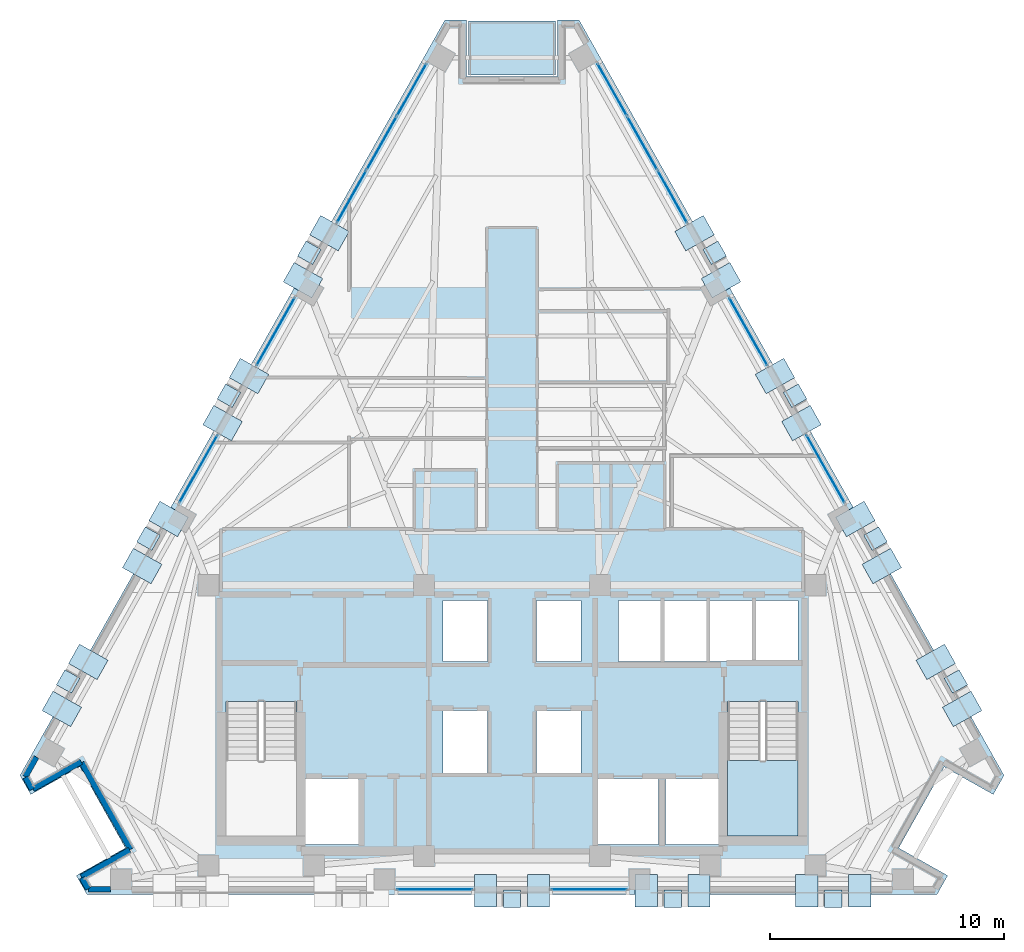
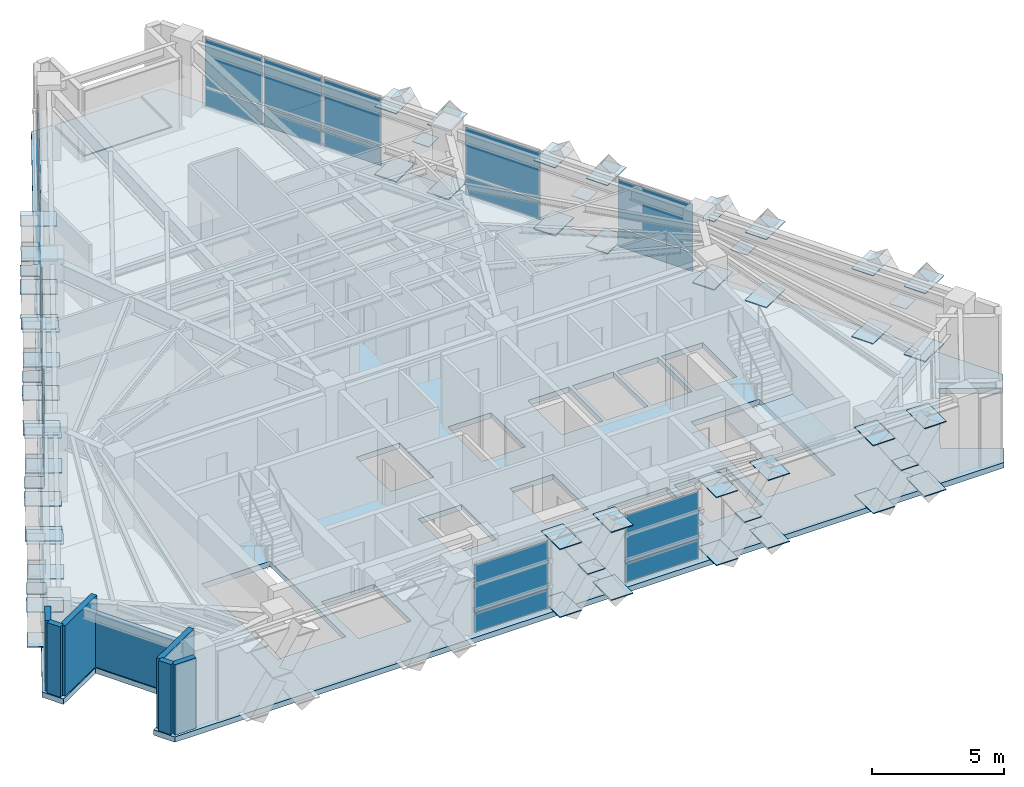
# One storey, part 7 of 15: 79 plates, 7 walls, 3 slabs, 9 elements without a shape of their own.
"""IFC4 building model written with IfcOpenShell, lengths in metres."""

from ifc_helpers import new_model, si_unit, direction, frame, frame_2d, origin, origin_2d, place, context, subcontext, project, spatial, polyline, rectangle, outline, extrude, material, layer, layer_set, type_object, element, aggregate, save


model = new_model("IFC4")

# Units and contexts
model_context = context("Model", 3, precision=1e-05, world=origin(), true_north=direction((0.0, 1.0)))
body_context = subcontext(model_context, "Body", "Model", "MODEL_VIEW")
ifc_project = project(units=[si_unit("LENGTHUNIT", "METRE"), si_unit("AREAUNIT", "SQUARE_METRE"), si_unit("VOLUMEUNIT", "CUBIC_METRE"), si_unit("PLANEANGLEUNIT", "RADIAN"), si_unit("MASSUNIT", "GRAM", prefix="KILO")], contexts=[model_context])

# Site, building, storey
site_placement = place(None, origin())
site = spatial("IfcSite", under=ifc_project, at=site_placement, CompositionType="ELEMENT")
building_placement = place(site_placement, origin())
building = spatial("IfcBuilding", under=site, at=building_placement, Name="Quenlor Broadcast Tower", CompositionType="ELEMENT")
storey_placement = place(building_placement, frame((0.0, 0.0, 183.39990234375)))
storey = spatial("IfcBuildingStorey", under=building, at=storey_placement, Name="L50", CompositionType="ELEMENT", Elevation=183.39990234375)

# Curtain wall, plates
ifc_material_1 = material(Name="Architectural Terracotta and Low-E Glazing", Category="masonry")
curtain_wall_type = type_object("IfcCurtainWallType", Name="Unitised Terracotta Curtain Wall System Z4", PredefinedType="NOTDEFINED", material=ifc_material_1)
curtain_wall_1_placement = place(storey_placement, origin())
curtain_wall_1 = element("IfcCurtainWall", 1, at=curtain_wall_1_placement, inside=storey, type_object=curtain_wall_type, Name="L50 Curtain Wall CW4 (L50-S-G1)", PredefinedType="NOTDEFINED")
ifc_material_2 = material(Name="Double Glazed Low-E Solar Glass", Category="glass")
ifc_layer_1 = layer(ifc_material_2, 0.028076171875)
ifc_layer_set_1 = layer_set([ifc_layer_1], Name="CW4 Double Glazed Vision Panel 28")
plate_type_1 = type_object("IfcPlateType", Name="CW4 Double Glazed Vision Panel 28", PredefinedType="CURTAIN_PANEL", material=ifc_layer_set_1)
plate_1_placement = place(storey_placement, frame((3.29443359375, -17.77490234375, 0.068359375), z_axis=(0.0, 0.0, 1.0), x_axis=(-1.0, 0.0, 0.0)))
plate_1 = element("IfcPlate", 2, at=plate_1_placement, type_object=plate_type_1, Name="CW4 panel 1.1", PredefinedType="CURTAIN_PANEL", context=body_context, shape_type="SweptSolid", body=[
    extrude(rectangle(XDim=3.210693359375, YDim=0.028076171875, at=origin_2d()), origin(), (0.0, 0.0, 1.0), 0.847900390625),
])
plate_2_placement = place(storey_placement, frame((3.29443359375, -17.77490234375, 0.98388671875), z_axis=(0.0, 0.0, 1.0), x_axis=(-1.0, 0.0, 0.0)))
plate_2 = element("IfcPlate", 3, at=plate_2_placement, type_object=plate_type_1, Name="CW4 panel 1.2", PredefinedType="CURTAIN_PANEL", context=body_context, shape_type="SweptSolid", body=[
    extrude(rectangle(XDim=3.210693359375, YDim=0.028076171875, at=origin_2d()), origin(), (0.0, 0.0, 1.0), 2.197998046875),
])
aggregate(curtain_wall_1, [plate_1, plate_2])

curtain_wall_2_placement = place(storey_placement, origin())
curtain_wall_2 = element("IfcCurtainWall", 4, at=curtain_wall_2_placement, inside=storey, type_object=curtain_wall_type, Name="L50 Curtain Wall CW4 (L50-S-G2)", PredefinedType="NOTDEFINED")
plate_3_placement = place(storey_placement, frame((-3.29443359375, -17.77490234375, 0.068359375), z_axis=(0.0, 0.0, 1.0), x_axis=(-1.0, 0.0, 0.0)))
plate_3 = element("IfcPlate", 5, at=plate_3_placement, type_object=plate_type_1, Name="CW4 panel 1.1", PredefinedType="CURTAIN_PANEL", context=body_context, shape_type="SweptSolid", body=[
    extrude(rectangle(XDim=3.210693359375, YDim=0.028076171875, at=origin_2d()), origin(), (0.0, 0.0, 1.0), 0.847900390625),
])
plate_4_placement = place(storey_placement, frame((-3.29443359375, -17.77490234375, 0.98388671875), z_axis=(0.0, 0.0, 1.0), x_axis=(-1.0, 0.0, 0.0)))
plate_4 = element("IfcPlate", 6, at=plate_4_placement, type_object=plate_type_1, Name="CW4 panel 1.2", PredefinedType="CURTAIN_PANEL", context=body_context, shape_type="SweptSolid", body=[
    extrude(rectangle(XDim=3.210693359375, YDim=0.028076171875, at=origin_2d()), origin(), (0.0, 0.0, 1.0), 2.197998046875),
])
aggregate(curtain_wall_2, [plate_3, plate_4])

curtain_wall_3_placement = place(storey_placement, origin())
curtain_wall_3 = element("IfcCurtainWall", 7, at=curtain_wall_3_placement, inside=storey, type_object=curtain_wall_type, Name="L50 Curtain Wall CW4 (L50-NEA-G1)", PredefinedType="NOTDEFINED")
plate_5_placement = place(storey_placement, frame((4.277099609375, 16.337158203125, 0.068359375), z_axis=(0.0, 0.0, 1.0), x_axis=(0.490258833923, -0.871576890332, 0.0)))
plate_5 = element("IfcPlate", 8, at=plate_5_placement, type_object=plate_type_1, Name="CW4 panel 1.1", PredefinedType="CURTAIN_PANEL", context=body_context, shape_type="SweptSolid", body=[
    extrude(rectangle(XDim=2.529296875, YDim=0.028076171875, at=origin_2d()), origin(), (0.0, 0.0, 1.0), 0.847900390625),
])
plate_6_placement = place(storey_placement, frame((4.277099609375, 16.337158203125, 0.98388671875), z_axis=(0.0, 0.0, 1.0), x_axis=(0.490258833923, -0.871576890332, 0.0)))
plate_6 = element("IfcPlate", 9, at=plate_6_placement, type_object=plate_type_1, Name="CW4 panel 1.2", PredefinedType="CURTAIN_PANEL", context=body_context, shape_type="SweptSolid", body=[
    extrude(rectangle(XDim=2.529296875, YDim=0.028076171875, at=origin_2d()), origin(), (0.0, 0.0, 1.0), 2.197998046875),
])
plate_7_placement = place(storey_placement, frame((5.558837890625, 14.05859375, 0.068359375), z_axis=(0.0, 0.0, 1.0), x_axis=(0.490258833923, -0.871576890332, 0.0)))
plate_7 = element("IfcPlate", 10, at=plate_7_placement, type_object=plate_type_1, Name="CW4 panel 2.1", PredefinedType="CURTAIN_PANEL", context=body_context, shape_type="SweptSolid", body=[
    extrude(rectangle(XDim=2.5634765625, YDim=0.028076171875, at=origin_2d()), origin(), (0.0, 0.0, 1.0), 0.847900390625),
])
plate_8_placement = place(storey_placement, frame((5.558837890625, 14.05859375, 0.98388671875), z_axis=(0.0, 0.0, 1.0), x_axis=(0.490258833923, -0.871576890332, 0.0)))
plate_8 = element("IfcPlate", 11, at=plate_8_placement, type_object=plate_type_1, Name="CW4 panel 2.2", PredefinedType="CURTAIN_PANEL", context=body_context, shape_type="SweptSolid", body=[
    extrude(rectangle(XDim=2.5634765625, YDim=0.028076171875, at=origin_2d()), origin(), (0.0, 0.0, 1.0), 2.197998046875),
])
plate_9_placement = place(storey_placement, frame((6.840576171875, 11.77978515625, 0.068359375), z_axis=(0.0, 0.0, 1.0), x_axis=(0.490258833923, -0.871576890332, 0.0)))
plate_9 = element("IfcPlate", 12, at=plate_9_placement, type_object=plate_type_1, Name="CW4 panel 3.1", PredefinedType="CURTAIN_PANEL", context=body_context, shape_type="SweptSolid", body=[
    extrude(rectangle(XDim=2.529296875, YDim=0.028076171875, at=origin_2d()), origin(), (0.0, 0.0, 1.0), 0.847900390625),
])
plate_10_placement = place(storey_placement, frame((6.840576171875, 11.77978515625, 0.98388671875), z_axis=(0.0, 0.0, 1.0), x_axis=(0.490258833923, -0.871576890332, 0.0)))
plate_10 = element("IfcPlate", 13, at=plate_10_placement, type_object=plate_type_1, Name="CW4 panel 3.2", PredefinedType="CURTAIN_PANEL", context=body_context, shape_type="SweptSolid", body=[
    extrude(rectangle(XDim=2.529296875, YDim=0.028076171875, at=origin_2d()), origin(), (0.0, 0.0, 1.0), 2.197998046875),
])
aggregate(curtain_wall_3, [plate_5, plate_6, plate_7, plate_8, plate_9, plate_10])

curtain_wall_4_placement = place(storey_placement, origin())
curtain_wall_4 = element("IfcCurtainWall", 14, at=curtain_wall_4_placement, inside=storey, type_object=curtain_wall_type, Name="L50 Curtain Wall CW4 (L50-NE-G1)", PredefinedType="NOTDEFINED")
plate_11_placement = place(storey_placement, frame((10.081787109375, 6.01806640625, 0.068359375), z_axis=(0.0, 0.0, 1.0), x_axis=(0.490257089819, -0.871577871382, 0.0)))
plate_11 = element("IfcPlate", 15, at=plate_11_placement, type_object=plate_type_1, Name="CW4 panel 1.1", PredefinedType="CURTAIN_PANEL", context=body_context, shape_type="SweptSolid", body=[
    extrude(rectangle(XDim=3.29638671875, YDim=0.028076171875, at=origin_2d()), origin(), (0.0, 0.0, 1.0), 0.847900390625),
])
plate_12_placement = place(storey_placement, frame((10.081787109375, 6.01806640625, 0.98388671875), z_axis=(0.0, 0.0, 1.0), x_axis=(0.490257089819, -0.871577871382, 0.0)))
plate_12 = element("IfcPlate", 16, at=plate_12_placement, type_object=plate_type_1, Name="CW4 panel 1.2", PredefinedType="CURTAIN_PANEL", context=body_context, shape_type="SweptSolid", body=[
    extrude(rectangle(XDim=3.29638671875, YDim=0.028076171875, at=origin_2d()), origin(), (0.0, 0.0, 1.0), 2.197998046875),
])
aggregate(curtain_wall_4, [plate_11, plate_12])

curtain_wall_5_placement = place(storey_placement, origin())
curtain_wall_5 = element("IfcCurtainWall", 17, at=curtain_wall_5_placement, inside=storey, type_object=curtain_wall_type, Name="L50 Curtain Wall CW4 (L50-NE-G2)", PredefinedType="NOTDEFINED")
plate_13_placement = place(storey_placement, frame((13.3759765625, 0.161376953125, 0.068359375), z_axis=(0.0, 0.0, 1.0), x_axis=(0.490257089819, -0.871577871382, 0.0)))
plate_13 = element("IfcPlate", 18, at=plate_13_placement, type_object=plate_type_1, Name="CW4 panel 1.1", PredefinedType="CURTAIN_PANEL", context=body_context, shape_type="SweptSolid", body=[
    extrude(rectangle(XDim=3.29638671875, YDim=0.028076171875, at=origin_2d()), origin(), (0.0, 0.0, 1.0), 0.847900390625),
])
plate_14_placement = place(storey_placement, frame((13.3759765625, 0.161376953125, 0.98388671875), z_axis=(0.0, 0.0, 1.0), x_axis=(0.490257089819, -0.871577871382, 0.0)))
plate_14 = element("IfcPlate", 19, at=plate_14_placement, type_object=plate_type_1, Name="CW4 panel 1.2", PredefinedType="CURTAIN_PANEL", context=body_context, shape_type="SweptSolid", body=[
    extrude(rectangle(XDim=3.29638671875, YDim=0.028076171875, at=origin_2d()), origin(), (0.0, 0.0, 1.0), 2.197998046875),
])
aggregate(curtain_wall_5, [plate_13, plate_14])

curtain_wall_6_placement = place(storey_placement, origin())
curtain_wall_6 = element("IfcCurtainWall", 20, at=curtain_wall_6_placement, inside=storey, type_object=curtain_wall_type, Name="L50 Curtain Wall CW4 (L50-NWC-G1)", PredefinedType="NOTDEFINED")
plate_15_placement = place(storey_placement, frame((-6.840576171875, 11.77978515625, 0.068359375), z_axis=(0.0, 0.0, 1.0), x_axis=(0.490258833923, 0.871576890332, 0.0)))
plate_15 = element("IfcPlate", 21, at=plate_15_placement, type_object=plate_type_1, Name="CW4 panel 1.1", PredefinedType="CURTAIN_PANEL", context=body_context, shape_type="SweptSolid", body=[
    extrude(rectangle(XDim=2.529296875, YDim=0.028076171875, at=origin_2d()), origin(), (0.0, 0.0, 1.0), 0.847900390625),
])
plate_16_placement = place(storey_placement, frame((-6.840576171875, 11.77978515625, 0.98388671875), z_axis=(0.0, 0.0, 1.0), x_axis=(0.490258833923, 0.871576890332, 0.0)))
plate_16 = element("IfcPlate", 22, at=plate_16_placement, type_object=plate_type_1, Name="CW4 panel 1.2", PredefinedType="CURTAIN_PANEL", context=body_context, shape_type="SweptSolid", body=[
    extrude(rectangle(XDim=2.529296875, YDim=0.028076171875, at=origin_2d()), origin(), (0.0, 0.0, 1.0), 2.197998046875),
])
plate_17_placement = place(storey_placement, frame((-5.558837890625, 14.05859375, 0.068359375), z_axis=(0.0, 0.0, 1.0), x_axis=(0.490258833923, 0.871576890332, 0.0)))
plate_17 = element("IfcPlate", 23, at=plate_17_placement, type_object=plate_type_1, Name="CW4 panel 2.1", PredefinedType="CURTAIN_PANEL", context=body_context, shape_type="SweptSolid", body=[
    extrude(rectangle(XDim=2.5634765625, YDim=0.028076171875, at=origin_2d()), origin(), (0.0, 0.0, 1.0), 0.847900390625),
])
plate_18_placement = place(storey_placement, frame((-5.558837890625, 14.05859375, 0.98388671875), z_axis=(0.0, 0.0, 1.0), x_axis=(0.490258833923, 0.871576890332, 0.0)))
plate_18 = element("IfcPlate", 24, at=plate_18_placement, type_object=plate_type_1, Name="CW4 panel 2.2", PredefinedType="CURTAIN_PANEL", context=body_context, shape_type="SweptSolid", body=[
    extrude(rectangle(XDim=2.5634765625, YDim=0.028076171875, at=origin_2d()), origin(), (0.0, 0.0, 1.0), 2.197998046875),
])
plate_19_placement = place(storey_placement, frame((-4.277099609375, 16.337158203125, 0.068359375), z_axis=(0.0, 0.0, 1.0), x_axis=(0.490258833923, 0.871576890332, 0.0)))
plate_19 = element("IfcPlate", 25, at=plate_19_placement, type_object=plate_type_1, Name="CW4 panel 3.1", PredefinedType="CURTAIN_PANEL", context=body_context, shape_type="SweptSolid", body=[
    extrude(rectangle(XDim=2.529296875, YDim=0.028076171875, at=origin_2d()), origin(), (0.0, 0.0, 1.0), 0.847900390625),
])
plate_20_placement = place(storey_placement, frame((-4.277099609375, 16.337158203125, 0.98388671875), z_axis=(0.0, 0.0, 1.0), x_axis=(0.490258833923, 0.871576890332, 0.0)))
plate_20 = element("IfcPlate", 26, at=plate_20_placement, type_object=plate_type_1, Name="CW4 panel 3.2", PredefinedType="CURTAIN_PANEL", context=body_context, shape_type="SweptSolid", body=[
    extrude(rectangle(XDim=2.529296875, YDim=0.028076171875, at=origin_2d()), origin(), (0.0, 0.0, 1.0), 2.197998046875),
])
aggregate(curtain_wall_6, [plate_15, plate_16, plate_17, plate_18, plate_19, plate_20])

curtain_wall_7_placement = place(storey_placement, origin())
curtain_wall_7 = element("IfcCurtainWall", 27, at=curtain_wall_7_placement, inside=storey, type_object=curtain_wall_type, Name="L50 Curtain Wall CW4 (L50-NW-G1)", PredefinedType="NOTDEFINED")
plate_21_placement = place(storey_placement, frame((-13.3759765625, 0.161376953125, 0.068359375), z_axis=(0.0, 0.0, 1.0), x_axis=(0.490257089819, 0.871577871382, 0.0)))
plate_21 = element("IfcPlate", 28, at=plate_21_placement, type_object=plate_type_1, Name="CW4 panel 1.1", PredefinedType="CURTAIN_PANEL", context=body_context, shape_type="SweptSolid", body=[
    extrude(rectangle(XDim=3.29638671875, YDim=0.028076171875, at=origin_2d()), origin(), (0.0, 0.0, 1.0), 0.847900390625),
])
plate_22_placement = place(storey_placement, frame((-13.3759765625, 0.161376953125, 0.98388671875), z_axis=(0.0, 0.0, 1.0), x_axis=(0.490257089819, 0.871577871382, 0.0)))
plate_22 = element("IfcPlate", 29, at=plate_22_placement, type_object=plate_type_1, Name="CW4 panel 1.2", PredefinedType="CURTAIN_PANEL", context=body_context, shape_type="SweptSolid", body=[
    extrude(rectangle(XDim=3.29638671875, YDim=0.028076171875, at=origin_2d()), origin(), (0.0, 0.0, 1.0), 2.197998046875),
])
aggregate(curtain_wall_7, [plate_21, plate_22])

curtain_wall_8_placement = place(storey_placement, origin())
curtain_wall_8 = element("IfcCurtainWall", 30, at=curtain_wall_8_placement, inside=storey, type_object=curtain_wall_type, Name="L50 Curtain Wall CW4 (L50-NW-G2)", PredefinedType="NOTDEFINED")
plate_23_placement = place(storey_placement, frame((-10.081787109375, 6.01806640625, 0.068359375), z_axis=(0.0, 0.0, 1.0), x_axis=(0.490257089819, 0.871577871382, 0.0)))
plate_23 = element("IfcPlate", 31, at=plate_23_placement, type_object=plate_type_1, Name="CW4 panel 1.1", PredefinedType="CURTAIN_PANEL", context=body_context, shape_type="SweptSolid", body=[
    extrude(rectangle(XDim=3.29638671875, YDim=0.028076171875, at=origin_2d()), origin(), (0.0, 0.0, 1.0), 0.847900390625),
])
plate_24_placement = place(storey_placement, frame((-10.081787109375, 6.01806640625, 0.98388671875), z_axis=(0.0, 0.0, 1.0), x_axis=(0.490257089819, 0.871577871382, 0.0)))
plate_24 = element("IfcPlate", 32, at=plate_24_placement, type_object=plate_type_1, Name="CW4 panel 1.2", PredefinedType="CURTAIN_PANEL", context=body_context, shape_type="SweptSolid", body=[
    extrude(rectangle(XDim=3.29638671875, YDim=0.028076171875, at=origin_2d()), origin(), (0.0, 0.0, 1.0), 2.197998046875),
])
aggregate(curtain_wall_8, [plate_23, plate_24])

# Plates
ifc_material_3 = material(Name="Steel S355", Category="steel")
ifc_layer_2 = layer(ifc_material_3, 0.028076171875)
ifc_layer_set_2 = layer_set([ifc_layer_2], Name="Perimeter Lattice Node Steel S355 Cap Plate 740x740x28")
plate_type_2 = type_object("IfcPlateType", Name="Perimeter Lattice Node Steel S355 Cap Plate 740x740x28", PredefinedType="USERDEFINED", material=ifc_layer_set_2)
for number, where, z_axis, x_axis, name in (
    (33, (13.70068359375, -18.169921875, 1.6162109375), (0.0, 0.0, 1.0), (-1.0, 0.0, 0.0), "L50 Diamond Lattice Crossing Node S-C1"),
    (34, (6.850341796875, -18.169921875, 1.6162109375), (0.0, 0.0, 1.0), (-1.0, 0.0, 0.0), "L50 Diamond Lattice Crossing Node S-C2"),
    (35, (0.0, -18.169921875, 1.6162109375), (0.0, 0.0, 1.0), (-1.0, 0.0, 0.0), "L50 Diamond Lattice Crossing Node S-C3"),
    (36, (8.64404296875, 9.379638671875, 1.6162109375), (0.0, 0.0, 1.0), (0.490295412055, -0.871556314255, 0.0), "L50 Diamond Lattice Crossing Node NE-C2"),
    (37, (12.0732421875, 3.283447265625, 1.6162109375), (0.0, 0.0, 1.0), (0.490295412055, -0.871556314255, 0.0), "L50 Diamond Lattice Crossing Node NE-C3"),
    (38, (15.502197265625, -2.81298828125, 1.6162109375), (0.0, 0.0, 1.0), (0.490295412055, -0.871556314255, 0.0), "L50 Diamond Lattice Crossing Node NE-C4"),
    (39, (18.931396484375, -8.908935546875, 1.6162109375), (0.0, 0.0, 1.0), (0.490295412055, -0.871556314255, 0.0), "L50 Diamond Lattice Crossing Node NE-C5"),
    (40, (-18.931396484375, -8.908935546875, 1.6162109375), (0.0, 0.0, 1.0), (0.490295412055, 0.871556314255, 0.0), "L50 Diamond Lattice Crossing Node NW-C1"),
    (41, (-15.502197265625, -2.81298828125, 1.6162109375), (0.0, 0.0, 1.0), (0.490295412055, 0.871556314255, 0.0), "L50 Diamond Lattice Crossing Node NW-C2"),
    (42, (-12.0732421875, 3.283447265625, 1.6162109375), (0.0, 0.0, 1.0), (0.490295412055, 0.871556314255, 0.0), "L50 Diamond Lattice Crossing Node NW-C3"),
    (43, (-8.64404296875, 9.379638671875, 1.6162109375), (0.0, 0.0, 1.0), (0.490295412055, 0.871556314255, 0.0), "L50 Diamond Lattice Crossing Node NW-C4"),
):
    element("IfcPlate", number, at=place(storey_placement, frame(where, z_axis=z_axis, x_axis=x_axis)), inside=storey, type_object=plate_type_2, Name=name, ObjectType="CAP PLATE", PredefinedType="USERDEFINED", context=body_context, shape_type="SweptSolid", body=[
        extrude(rectangle(XDim=0.739990234375, YDim=0.739990234375, at=origin_2d()), origin(), (0.0, 0.0, 1.0), 0.028076171875),
    ])

# Stair, slab
ifc_material_4 = material(Name="Precast concrete C40/50", Category="concrete")
stair_type = type_object("IfcStairType", Name="Precast Concrete C40/50 Dogleg Stair H350", PredefinedType="HALF_TURN_STAIR", material=ifc_material_4)
stair_placement = place(storey_placement, origin())
stair = element("IfcStair", 44, at=stair_placement, inside=storey, type_object=stair_type, Name="L50 East Core Fire-Isolated Exit Stair ST-2", PredefinedType="HALF_TURN_STAIR")
ifc_material_5 = material(Name="Precast concrete C40/50", Category="concrete")
ifc_layer_3 = layer(ifc_material_5, 0.199951171875)
ifc_layer_set_3 = layer_set([ifc_layer_3], Name="Precast Concrete C40/50 Stair Landing Slab 200")
slab_type_1 = type_object("IfcSlabType", Name="Precast Concrete C40/50 Stair Landing Slab 200", PredefinedType="LANDING", material=ifc_layer_set_3)
slab_1_placement = place(storey_placement, frame((0.0, 0.0, 1.550048828125)))
slab_1 = element("IfcSlab", 45, at=slab_1_placement, type_object=slab_type_1, Name="ST-2 landing 1", PredefinedType="LANDING", context=body_context, shape_type="SweptSolid", body=[
    extrude(outline(polyline([(9.199951171875, -12.27001953125), (9.199951171875, -15.5), (12.199951171875, -15.5), (12.199951171875, -12.27001953125), (9.199951171875, -12.27001953125)])), origin(), (0.0, 0.0, 1.0), 0.199951171875),
])
aggregate(stair, [slab_1])

# Slabs
ifc_material_6 = material(Name="Concrete C40/50", Category="concrete")
ifc_layer_4 = layer(ifc_material_6, 0.219970703125)
ifc_layer_set_4 = layer_set([ifc_layer_4], Name="Sky Lobby Upper Concrete C40/50 Terrace Slab 220")
slab_type_2 = type_object("IfcSlabType", Name="Sky Lobby Upper Concrete C40/50 Terrace Slab 220", PredefinedType="FLOOR", material=ifc_layer_set_4)
slab_2_placement = place(storey_placement, frame((0.0, 0.0, -0.219970703125)))
element("IfcSlab", 46, at=slab_2_placement, inside=storey, type_object=slab_type_2, Name="L50 Outdoor Setback Terrace Slab", PredefinedType="FLOOR", context=body_context, shape_type="SweptSolid", body=[
    extrude(outline(polyline([(-1.860107421875, 16.9599609375), (1.860107421875, 16.9599609375), (1.860107421875, 19.260009765625), (-1.860107421875, 19.260009765625), (-1.860107421875, 16.9599609375)])), origin(), (0.0, 0.0, 1.0), 0.219970703125),
])
ifc_material_7 = material(Name="Concrete C40/50", Category="concrete")
ifc_layer_5 = layer(ifc_material_7, 0.25)
ifc_layer_set_5 = layer_set([ifc_layer_5], Name="Tower Composite Concrete C40/50 Slab 250")
slab_type_3 = type_object("IfcSlabType", Name="Tower Composite Concrete C40/50 Slab 250", PredefinedType="FLOOR", material=ifc_layer_set_5)
slab_3_placement = place(storey_placement, frame((0.0, 0.0, -0.25)))
element("IfcSlab", 47, at=slab_3_placement, inside=storey, type_object=slab_type_3, Name="L50 Structural Floor Slab", PredefinedType="FLOOR", context=body_context, shape_type="SweptSolid", body=[
    extrude(outline(polyline([(18.1259765625, -18.0), (18.583984375, -17.185791015625), (16.4921875, -16.00927734375), (18.438232421875, -12.549560546875), (20.530029296875, -13.72607421875), (20.988037109375, -12.912109375), (2.862060546875, 19.31201171875), (1.9462890625, 19.31201171875), (1.9462890625, 16.912109375), (-1.9462890625, 16.912109375), (-1.9462890625, 19.31201171875), (-2.862060546875, 19.31201171875), (-20.988037109375, -12.912109375), (-20.530029296875, -13.72607421875), (-18.438232421875, -12.549560546875), (-16.4921875, -16.00927734375), (-18.583984375, -17.185791015625), (-18.1259765625, -18.0), (18.1259765625, -18.0)]), holes=[polyline([(-12.199951171875, -9.758056640625), (-12.199951171875, -15.5), (-9.199951171875, -15.5), (-9.199951171875, -9.758056640625), (-12.199951171875, -9.758056640625)]), polyline([(9.199951171875, -9.758056640625), (9.199951171875, -15.5), (12.199951171875, -15.5), (12.199951171875, -9.758056640625), (9.199951171875, -9.758056640625)]), polyline([(-2.949951171875, -8.050048828125), (-1.050048828125, -8.050048828125), (-1.050048828125, -5.449951171875), (-2.949951171875, -5.449951171875), (-2.949951171875, -8.050048828125)]), polyline([(1.050048828125, -8.050048828125), (2.949951171875, -8.050048828125), (2.949951171875, -5.449951171875), (1.050048828125, -5.449951171875), (1.050048828125, -8.050048828125)]), polyline([(-2.949951171875, -12.800048828125), (-1.050048828125, -12.800048828125), (-1.050048828125, -10.14990234375), (-2.949951171875, -10.14990234375), (-2.949951171875, -12.800048828125)]), polyline([(1.050048828125, -12.800048828125), (2.949951171875, -12.800048828125), (2.949951171875, -10.14990234375), (1.050048828125, -10.14990234375), (1.050048828125, -12.800048828125)]), polyline([(4.550048828125, -8.050048828125), (6.35009765625, -8.050048828125), (6.35009765625, -5.449951171875), (4.550048828125, -5.449951171875), (4.550048828125, -8.050048828125)]), polyline([(6.5, -8.050048828125), (8.300048828125, -8.050048828125), (8.300048828125, -5.449951171875), (6.5, -5.449951171875), (6.5, -8.050048828125)]), polyline([(8.449951171875, -8.050048828125), (10.25, -8.050048828125), (10.25, -5.449951171875), (8.449951171875, -5.449951171875), (8.449951171875, -8.050048828125)]), polyline([(10.39990234375, -8.050048828125), (12.199951171875, -8.050048828125), (12.199951171875, -5.449951171875), (10.39990234375, -5.449951171875), (10.39990234375, -8.050048828125)]), polyline([(-8.85009765625, -15.85009765625), (-6.550048828125, -15.85009765625), (-6.550048828125, -13.050048828125), (-8.85009765625, -13.050048828125), (-8.85009765625, -15.85009765625)]), polyline([(6.550048828125, -15.85009765625), (8.85009765625, -15.85009765625), (8.85009765625, -13.050048828125), (6.550048828125, -13.050048828125), (6.550048828125, -15.85009765625)]), polyline([(3.64990234375, -15.85009765625), (6.25, -15.85009765625), (6.25, -13.050048828125), (3.64990234375, -13.050048828125), (3.64990234375, -15.85009765625)])]), origin(), (0.0, 0.0, 1.0), 0.25),
])

# Plates
ifc_material_8 = material(Name="Steel S355", Category="steel")
ifc_layer_6 = layer(ifc_material_8, 0.035888671875)
ifc_layer_set_6 = layer_set([ifc_layer_6], Name="Transfer Truss Steel S355 Gusset Node Plate 1400x950x36")
plate_type_3 = type_object("IfcPlateType", Name="Transfer Truss Steel S355 Gusset Node Plate 1400x950x36", PredefinedType="SHEET", material=ifc_layer_set_6)
for number, where, z_axis, x_axis, name in (
    (48, (14.828857421875, -17.8349609375, 0.0419921875), (0.0, 0.0, 1.0), (0.0, -1.0, 0.0), "L50 Lattice Tie Gusset Node S-B1"),
    (49, (12.57275390625, -17.8349609375, 3.18212890625), (0.0, 0.0, 1.0), (0.0, -1.0, 0.0), "L50 Lattice Tie Gusset Node S-T2"),
    (50, (12.57275390625, -17.8349609375, 0.0419921875), (0.0, 0.0, 1.0), (0.0, -1.0, 0.0), "L50 Lattice Tie Gusset Node S-B2"),
    (51, (14.828857421875, -17.8349609375, 3.18212890625), (0.0, 0.0, 1.0), (0.0, -1.0, 0.0), "L50 Lattice Tie Gusset Node S-T1"),
    (52, (7.978515625, -17.8349609375, 0.0419921875), (0.0, 0.0, 1.0), (0.0, -1.0, 0.0), "L50 Lattice Tie Gusset Node S-B4"),
    (53, (5.722412109375, -17.8349609375, 3.18212890625), (0.0, 0.0, 1.0), (0.0, -1.0, 0.0), "L50 Lattice Tie Gusset Node S-T5"),
    (54, (5.722412109375, -17.8349609375, 0.0419921875), (0.0, 0.0, 1.0), (0.0, -1.0, 0.0), "L50 Lattice Tie Gusset Node S-B5"),
    (55, (7.978515625, -17.8349609375, 3.18212890625), (0.0, 0.0, 1.0), (0.0, -1.0, 0.0), "L50 Lattice Tie Gusset Node S-T4"),
    (56, (1.1279296875, -17.8349609375, 0.0419921875), (0.0, 0.0, 1.0), (0.0, -1.0, 0.0), "L50 Lattice Tie Gusset Node S-B7"),
    (57, (-1.1279296875, -17.8349609375, 3.18212890625), (0.0, 0.0, 1.0), (0.0, -1.0, 0.0), "L50 Lattice Tie Gusset Node S-T8"),
    (58, (-1.1279296875, -17.8349609375, 0.0419921875), (0.0, 0.0, 1.0), (0.0, -1.0, 0.0), "L50 Lattice Tie Gusset Node S-B8"),
    (59, (1.1279296875, -17.8349609375, 3.18212890625), (0.0, 0.0, 1.0), (0.0, -1.0, 0.0), "L50 Lattice Tie Gusset Node S-T7"),
    (60, (7.787353515625, 10.218994140625, 0.0419921875), (0.0, 0.0, 1.0), (0.871556314255, 0.490295412055, 0.0), "L50 Lattice Tie Gusset Node NE-B4"),
    (61, (8.916748046875, 8.21142578125, 3.18212890625), (0.0, 0.0, 1.0), (0.871556314255, 0.490295412055, 0.0), "L50 Lattice Tie Gusset Node NE-T5"),
    (62, (8.916748046875, 8.21142578125, 0.0419921875), (0.0, 0.0, 1.0), (0.871556314255, 0.490295412055, 0.0), "L50 Lattice Tie Gusset Node NE-B5"),
    (63, (7.787353515625, 10.218994140625, 3.18212890625), (0.0, 0.0, 1.0), (0.871556314255, 0.490295412055, 0.0), "L50 Lattice Tie Gusset Node NE-T4"),
    (64, (11.216552734375, 4.123046875, 0.0419921875), (0.0, 0.0, 1.0), (0.871556314255, 0.490295412055, 0.0), "L50 Lattice Tie Gusset Node NE-B7"),
    (65, (12.345947265625, 2.115234375, 3.18212890625), (0.0, 0.0, 1.0), (0.871556314255, 0.490295412055, 0.0), "L50 Lattice Tie Gusset Node NE-T8"),
    (66, (12.345947265625, 2.115234375, 0.0419921875), (0.0, 0.0, 1.0), (0.871556314255, 0.490295412055, 0.0), "L50 Lattice Tie Gusset Node NE-B8"),
    (67, (11.216552734375, 4.123046875, 3.18212890625), (0.0, 0.0, 1.0), (0.871556314255, 0.490295412055, 0.0), "L50 Lattice Tie Gusset Node NE-T7"),
    (68, (14.6455078125, -1.97314453125, 0.0419921875), (0.0, 0.0, 1.0), (0.871556314255, 0.490295412055, 0.0), "L50 Lattice Tie Gusset Node NE-B10"),
    (69, (15.77490234375, -3.98095703125, 3.18212890625), (0.0, 0.0, 1.0), (0.871556314255, 0.490295412055, 0.0), "L50 Lattice Tie Gusset Node NE-T11"),
    (70, (15.77490234375, -3.98095703125, 0.0419921875), (0.0, 0.0, 1.0), (0.871556314255, 0.490295412055, 0.0), "L50 Lattice Tie Gusset Node NE-B11"),
    (71, (14.6455078125, -1.97314453125, 3.18212890625), (0.0, 0.0, 1.0), (0.871556314255, 0.490295412055, 0.0), "L50 Lattice Tie Gusset Node NE-T10"),
    (72, (18.07470703125, -8.0693359375, 0.0419921875), (0.0, 0.0, 1.0), (0.871556314255, 0.490295412055, 0.0), "L50 Lattice Tie Gusset Node NE-B13"),
    (73, (19.2041015625, -10.0771484375, 3.18212890625), (0.0, 0.0, 1.0), (0.871556314255, 0.490295412055, 0.0), "L50 Lattice Tie Gusset Node NE-T14"),
    (74, (19.2041015625, -10.0771484375, 0.0419921875), (0.0, 0.0, 1.0), (0.871556314255, 0.490295412055, 0.0), "L50 Lattice Tie Gusset Node NE-B14"),
    (75, (18.07470703125, -8.0693359375, 3.18212890625), (0.0, 0.0, 1.0), (0.871556314255, 0.490295412055, 0.0), "L50 Lattice Tie Gusset Node NE-T13"),
    (76, (-19.2041015625, -10.0771484375, 0.0419921875), (0.0, 0.0, 1.0), (-0.871556314255, 0.490295412055, 0.0), "L50 Lattice Tie Gusset Node NW-B1"),
    (77, (-18.07470703125, -8.0693359375, 3.18212890625), (0.0, 0.0, 1.0), (-0.871556314255, 0.490295412055, 0.0), "L50 Lattice Tie Gusset Node NW-T2"),
    (78, (-18.07470703125, -8.0693359375, 0.0419921875), (0.0, 0.0, 1.0), (-0.871556314255, 0.490295412055, 0.0), "L50 Lattice Tie Gusset Node NW-B2"),
    (79, (-19.2041015625, -10.0771484375, 3.18212890625), (0.0, 0.0, 1.0), (-0.871556314255, 0.490295412055, 0.0), "L50 Lattice Tie Gusset Node NW-T1"),
    (80, (-15.77490234375, -3.98095703125, 0.0419921875), (0.0, 0.0, 1.0), (-0.871556314255, 0.490295412055, 0.0), "L50 Lattice Tie Gusset Node NW-B4"),
    (81, (-14.6455078125, -1.97314453125, 3.18212890625), (0.0, 0.0, 1.0), (-0.871556314255, 0.490295412055, 0.0), "L50 Lattice Tie Gusset Node NW-T5"),
    (82, (-14.6455078125, -1.97314453125, 0.0419921875), (0.0, 0.0, 1.0), (-0.871556314255, 0.490295412055, 0.0), "L50 Lattice Tie Gusset Node NW-B5"),
    (83, (-15.77490234375, -3.98095703125, 3.18212890625), (0.0, 0.0, 1.0), (-0.871556314255, 0.490295412055, 0.0), "L50 Lattice Tie Gusset Node NW-T4"),
    (84, (-12.345947265625, 2.115234375, 0.0419921875), (0.0, 0.0, 1.0), (-0.871556314255, 0.490295412055, 0.0), "L50 Lattice Tie Gusset Node NW-B7"),
    (85, (-11.216552734375, 4.123046875, 3.18212890625), (0.0, 0.0, 1.0), (-0.871556314255, 0.490295412055, 0.0), "L50 Lattice Tie Gusset Node NW-T8"),
    (86, (-11.216552734375, 4.123046875, 0.0419921875), (0.0, 0.0, 1.0), (-0.871556314255, 0.490295412055, 0.0), "L50 Lattice Tie Gusset Node NW-B8"),
    (87, (-12.345947265625, 2.115234375, 3.18212890625), (0.0, 0.0, 1.0), (-0.871556314255, 0.490295412055, 0.0), "L50 Lattice Tie Gusset Node NW-T7"),
    (88, (-8.916748046875, 8.21142578125, 0.0419921875), (0.0, 0.0, 1.0), (-0.871556314255, 0.490295412055, 0.0), "L50 Lattice Tie Gusset Node NW-B10"),
    (89, (-7.787353515625, 10.218994140625, 3.18212890625), (0.0, 0.0, 1.0), (-0.871556314255, 0.490295412055, 0.0), "L50 Lattice Tie Gusset Node NW-T11"),
    (90, (-7.787353515625, 10.218994140625, 0.0419921875), (0.0, 0.0, 1.0), (-0.871556314255, 0.490295412055, 0.0), "L50 Lattice Tie Gusset Node NW-B11"),
    (91, (-8.916748046875, 8.21142578125, 3.18212890625), (0.0, 0.0, 1.0), (-0.871556314255, 0.490295412055, 0.0), "L50 Lattice Tie Gusset Node NW-T10"),
):
    element("IfcPlate", number, at=place(storey_placement, frame(where, z_axis=z_axis, x_axis=x_axis)), inside=storey, type_object=plate_type_3, Name=name, PredefinedType="SHEET", context=body_context, shape_type="SweptSolid", body=[
        extrude(rectangle(XDim=1.39990234375, YDim=0.949951171875, at=origin_2d()), origin(), (0.0, 0.0, 1.0), 0.035888671875),
    ])

# Walls
ifc_material_9 = material(Name="Precast concrete C40/50", Category="concrete")
ifc_layer_7 = layer(ifc_material_9, 0.239990234375)
ifc_layer_set_7 = layer_set([ifc_layer_7], Name="Terrace Threshold Precast Concrete C40/50 Wall 240")
wall_type = type_object("IfcWallType", Name="Terrace Threshold Precast Concrete C40/50 Wall 240", PredefinedType="STANDARD", material=ifc_layer_set_7)
wall_1_placement = place(storey_placement, frame((-17.130859375, -17.77490234375, 0.0), z_axis=(0.0, 0.0, 1.0), x_axis=(-1.0, 0.0, 0.0)))
element("IfcWall", 92, at=wall_1_placement, inside=storey, type_object=wall_type, Name="L50 Exterior Wall L50-SHD-SS1", PredefinedType="STANDARD", context=body_context, shape_type="SweptSolid", body=[
    extrude(rectangle(XDim=0.93505859375, YDim=0.239990234375, at=frame_2d((0.467529296875, 0.0))), origin(), (0.0, 0.0, 1.0), 3.25),
])
wall_2_placement = place(storey_placement, frame((-20.762451171875, -12.969970703125, 0.0), z_axis=(0.0, 0.0, 1.0), x_axis=(0.490345412687, 0.87152818443, 0.0)))
element("IfcWall", 93, at=wall_2_placement, inside=storey, type_object=wall_type, Name="L50 Exterior Wall L50-SHD-NWS0", PredefinedType="STANDARD", context=body_context, shape_type="SweptSolid", body=[
    extrude(rectangle(XDim=0.9638671875, YDim=0.239990234375, at=frame_2d((0.48193359375, 0.0))), origin(), (0.0, 0.0, 1.0), 3.25),
])
wall_3_placement = place(storey_placement, frame((-20.75537109375, -12.999267578125, 0.0), z_axis=(0.0, 0.0, 1.0), x_axis=(0.490320776404, -0.871542045014, 0.0)))
element("IfcWall", 94, at=wall_3_placement, inside=storey, type_object=wall_type, Name="L50 Exterior Wall L50-CNR-12", PredefinedType="STANDARD", context=body_context, shape_type="SweptSolid", body=[
    extrude(rectangle(XDim=0.583984375, YDim=0.239990234375, at=frame_2d((0.2919921875, 0.0))), origin(), (0.0, 0.0, 1.0), 3.25),
])
wall_4_placement = place(storey_placement, frame((-20.43408203125, -13.488525390625, 0.0), z_axis=(0.0, 0.0, 1.0), x_axis=(0.871578299909, 0.490256327984, 0.0)))
element("IfcWall", 95, at=wall_4_placement, inside=storey, type_object=wall_type, Name="L50 Exterior Wall L50-CNR-13", PredefinedType="STANDARD", context=body_context, shape_type="SweptSolid", body=[
    extrude(rectangle(XDim=2.35986328125, YDim=0.239990234375, at=frame_2d((1.179931640625, 0.0))), origin(), (0.0, 0.0, 1.0), 3.25),
])
wall_5_placement = place(storey_placement, frame((-18.357666015625, -12.366455078125, 0.0), z_axis=(0.0, 0.0, 1.0), x_axis=(0.49027487746, -0.871567865706, 0.0)))
element("IfcWall", 96, at=wall_5_placement, inside=storey, type_object=wall_type, Name="L50 Exterior Wall L50-CNR-14", PredefinedType="STANDARD", context=body_context, shape_type="SweptSolid", body=[
    extrude(rectangle(XDim=4.249755859375, YDim=0.239990234375, at=frame_2d((2.125, 0.0))), origin(), (0.0, 0.0, 1.0), 2.43408203125),
])
wall_6_placement = place(storey_placement, frame((-16.30908203125, -16.08984375, 0.0), z_axis=(0.0, 0.0, 1.0), x_axis=(-0.871578299909, -0.490256327984, 0.0)))
element("IfcWall", 97, at=wall_6_placement, inside=storey, type_object=wall_type, Name="L50 Exterior Wall L50-CNR-15", PredefinedType="STANDARD", context=body_context, shape_type="SweptSolid", body=[
    extrude(rectangle(XDim=2.35986328125, YDim=0.239990234375, at=frame_2d((1.179931640625, 0.0))), origin(), (0.0, 0.0, 1.0), 3.25),
])
wall_7_placement = place(storey_placement, frame((-18.346435546875, -17.28173828125, 0.0), z_axis=(0.0, 0.0, 1.0), x_axis=(0.49038986747, -0.87150317147, 0.0)))
element("IfcWall", 98, at=wall_7_placement, inside=storey, type_object=wall_type, Name="L50 Exterior Wall L50-CNR-16", PredefinedType="STANDARD", context=body_context, shape_type="SweptSolid", body=[
    extrude(rectangle(XDim=0.540771484375, YDim=0.239990234375, at=frame_2d((0.2705078125, 0.0))), origin(), (0.0, 0.0, 1.0), 3.25),
])

save(model, "model.ifc")
